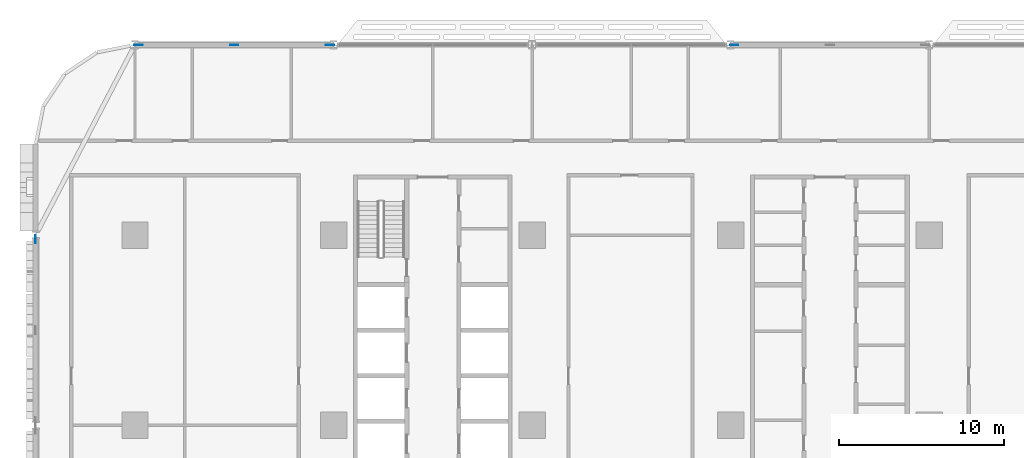
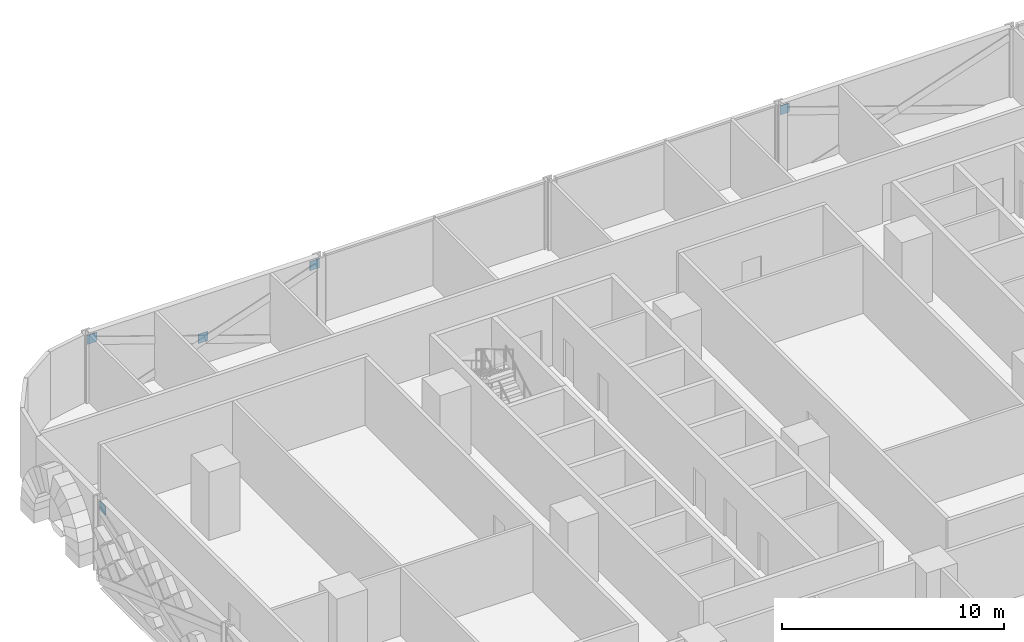
# One storey, part 18 of 29: 5 discrete accessories.
"""IFC4 building model written with IfcOpenShell, lengths in metres."""

from ifc_helpers import new_model, si_unit, direction, frame, origin, origin_2d, place, context, subcontext, project, spatial, rectangle, extrude, material, layer, layer_set, type_object, element, save


model = new_model("IFC4")

# Units and contexts
model_context = context("Model", 3, precision=1e-05, world=origin(), true_north=direction((0.0, 1.0)))
body_context = subcontext(model_context, "Body", "Model", "MODEL_VIEW")
ifc_project = project(units=[si_unit("LENGTHUNIT", "METRE"), si_unit("AREAUNIT", "SQUARE_METRE"), si_unit("VOLUMEUNIT", "CUBIC_METRE"), si_unit("PLANEANGLEUNIT", "RADIAN"), si_unit("MASSUNIT", "GRAM", prefix="KILO")], contexts=[model_context])

# Site, building, storey
site_placement = place(None, origin())
site = spatial("IfcSite", under=ifc_project, at=site_placement, CompositionType="ELEMENT")
building_placement = place(site_placement, origin())
building = spatial("IfcBuilding", under=site, at=building_placement, Name="Mahtab Terrace Research Tower", CompositionType="ELEMENT")
storey_placement = place(building_placement, frame((0.0, 0.0, 37.300048828125)))
storey = spatial("IfcBuildingStorey", under=building, at=storey_placement, Name="L08", CompositionType="ELEMENT", Elevation=37.300048828125)

# Discrete accessories
ifc_material = material(Name="Steel ASTM A992 Gr 50", Category="steel")
ifc_layer = layer(ifc_material, 0.030029296875)
ifc_layer_set = layer_set([ifc_layer], Name="Gusset plate 500x500x30")
discrete_accessory_type = type_object("IfcDiscreteAccessoryType", Name="Gusset plate 500x500x30", PredefinedType="USERDEFINED", material=ifc_layer_set)
for number, where, z_axis, x_axis, name in (
    (1, (-41.7841796875, 23.0, 3.0478515625), (0.0, 0.0, 1.0), (1.0, 0.0, 0.0), "Gusset plate"),
    (2, (-36.0, 23.0, 1.076416015625), (0.0, 0.0, 1.0), (1.0, 0.0, 0.0), "Gusset plate"),
    (3, (-30.2158203125, 23.0, 3.0478515625), (0.0, 0.0, 1.0), (1.0, 0.0, 0.0), "Gusset plate"),
    (4, (-5.7841796875, 23.0, 3.0478515625), (0.0, 0.0, 1.0), (1.0, 0.0, 0.0), "Gusset plate"),
    (5, (-48.0, 11.251220703125, 3.032958984375), (0.0, 0.0, 1.0), (0.0, 1.0, 0.0), "Gusset plate"),
):
    element("IfcDiscreteAccessory", number, at=place(storey_placement, frame(where, z_axis=z_axis, x_axis=x_axis)), inside=storey, type_object=discrete_accessory_type, Name=name, ObjectType="GUSSET PLATE", PredefinedType="USERDEFINED", context=body_context, shape_type="SweptSolid", body=[
        extrude(rectangle(XDim=0.5, YDim=0.030029296875, at=origin_2d()), origin(), (0.0, 0.0, 1.0), 0.5),
    ])

save(model, "model.ifc")
